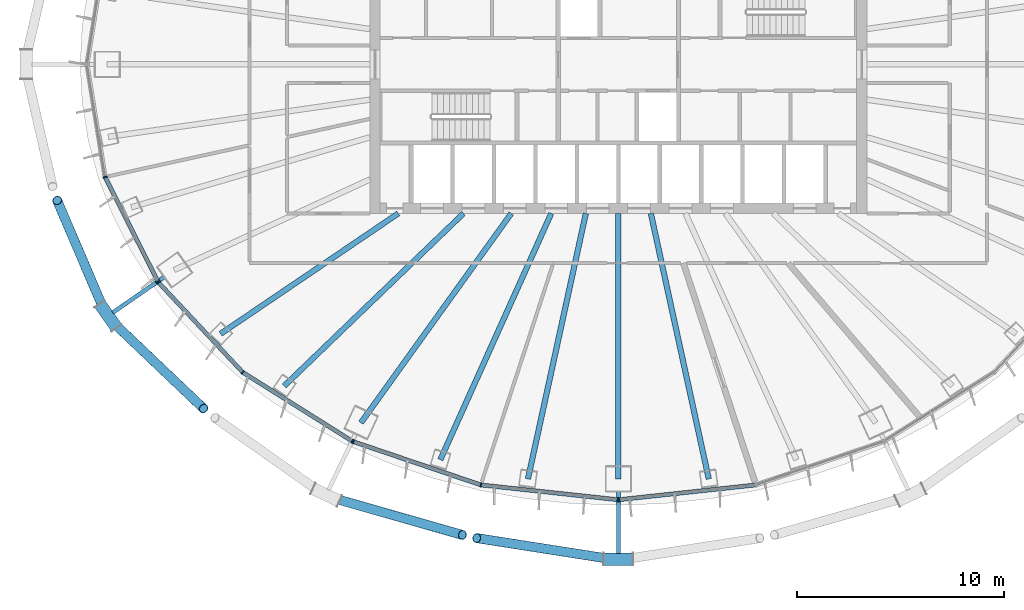
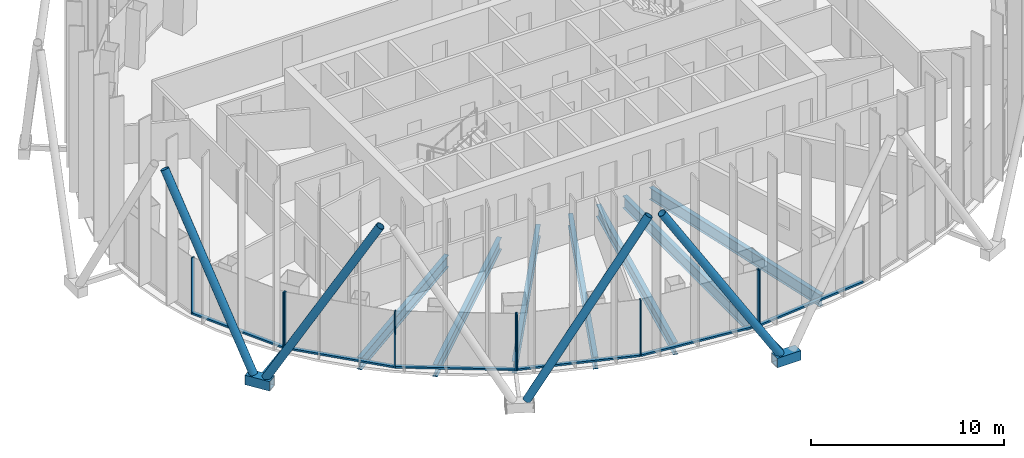
# One storey, part 2 of 20: 23 members, 7 beams, 4 elements without a shape of their own.
"""IFC4 building model written with IfcOpenShell, lengths in metres."""

import ifcopenshell
import ifcopenshell.guid

model = None  # the IFC model being written
_history = None  # IfcOwnerHistory: only IFC2X3 demands one
_inside = {}  # id of a spatial element -> (the spatial element, [elements in it])
_under = {}  # id of a project, library or spatial element -> (it, [spatial elements below it])
_declared = {}  # id of a project -> (the project, [libraries it declares])
_typed = {}  # id of a type object -> (the type object, [elements of that type])
_made_of = {}  # id of a material, layer set ... -> (it, [elements and type objects made of it])


def new_model(schema):
    """Start an empty IFC model of exactly this schema.

    Asked for "IFC4X3", IfcOpenShell would pick the latest addendum, in which some entities
    have other attributes; the version numbers below select the first issue.
    IFC2X3 requires an IfcOwnerHistory on every rooted entity: one is made here for all.
    """
    global model, _history
    if schema == "IFC4X3":
        model = ifcopenshell.file(schema_version=(4, 3, 0, 0))
    else:
        model = ifcopenshell.file(schema=schema)
    _inside.clear()
    _under.clear()
    _declared.clear()
    _typed.clear()
    _made_of.clear()
    _history = None
    if model.schema == "IFC2X3":
        org = make("IfcOrganization", Name="unknown")
        user = make(
            "IfcPersonAndOrganization",
            ThePerson=make("IfcPerson", FamilyName="unknown"),
            TheOrganization=org,
        )
        app = make(
            "IfcApplication",
            ApplicationDeveloper=org,
            Version="unknown",
            ApplicationFullName="unknown",
            ApplicationIdentifier="unknown",
        )
        _history = make(
            "IfcOwnerHistory",
            OwningUser=user,
            OwningApplication=app,
            ChangeAction="ADDED",
            CreationDate=0,
        )
    return model


def make(cls, **values):
    """One entity of the class cls with the attributes given. An attribute that is None is left unset."""
    return model.create_entity(
        cls, **{name: value for name, value in values.items() if value is not None}
    )


def rooted(cls, **values):
    """An entity with a GlobalId (a new one), such as an element, a storey or a relation."""
    return make(cls, GlobalId=ifcopenshell.guid.new(), OwnerHistory=_history, **values)


def si_unit(unit_type, name, prefix=None):
    """IfcSIUnit, for example si_unit("LENGTHUNIT", "METRE", prefix="MILLI")."""
    return make("IfcSIUnit", UnitType=unit_type, Prefix=prefix, Name=name)


def assignment(units):
    """IfcUnitAssignment: the units of a project."""
    return None if units is None else make("IfcUnitAssignment", Units=units)


def point(xyz):
    """IfcCartesianPoint."""
    return None if xyz is None else make("IfcCartesianPoint", Coordinates=xyz)


def direction(xyz):
    """IfcDirection."""
    return None if xyz is None else make("IfcDirection", DirectionRatios=xyz)


def frame(location, z_axis=None, x_axis=None):
    """IfcAxis2Placement3D, a coordinate frame: its origin and axes. An axis left out is left unset."""
    return make(
        "IfcAxis2Placement3D",
        Location=point(location),
        Axis=direction(z_axis),
        RefDirection=direction(x_axis),
    )


def frame_2d(location, x_axis=None):
    """IfcAxis2Placement2D, a coordinate frame in the plane: its origin and x axis."""
    return make(
        "IfcAxis2Placement2D", Location=point(location), RefDirection=direction(x_axis)
    )


def origin():
    """The frame at (0, 0, 0) with its axes left unset."""
    return frame((0.0, 0.0, 0.0))


def origin_2d():
    """The frame at (0, 0) in the plane with its x axis left unset."""
    return frame_2d((0.0, 0.0))


def place(relative_to, where):
    """IfcLocalPlacement: puts the frame where relative to a parent placement (None: the world)."""
    return make(
        "IfcLocalPlacement", PlacementRelTo=relative_to, RelativePlacement=where
    )


def context(
    kind, dimensions, precision=None, world=None, true_north=None, identifier=None
):
    """IfcGeometricRepresentationContext, for example the 3D "Model" context."""
    return make(
        "IfcGeometricRepresentationContext",
        ContextIdentifier=identifier,
        ContextType=kind,
        CoordinateSpaceDimension=dimensions,
        Precision=precision,
        WorldCoordinateSystem=world,
        TrueNorth=true_north,
    )


def subcontext(parent, identifier, kind, view, scale=None):
    """IfcGeometricRepresentationSubContext, for example "Body" below "Model"."""
    return make(
        "IfcGeometricRepresentationSubContext",
        ContextIdentifier=identifier,
        ContextType=kind,
        ParentContext=parent,
        TargetScale=scale,
        TargetView=view,
    )


def project(units=None, contexts=None):
    """IfcProject with its units and contexts."""
    return rooted(
        "IfcProject",
        Name="project",
        RepresentationContexts=contexts,
        UnitsInContext=assignment(units),
    )


def spatial(cls, under=None, at=None, **own):
    """A site, building, storey or space (cls), placed at a placement, below another one or the project."""
    s = rooted(cls, ObjectPlacement=at, **own)
    if under is not None:
        _under.setdefault(under.id(), (under, []))[1].append(s)
    return s


def profile(cls, at=None, kind="AREA", **sizes):
    """A parametric profile (cls). Its sizes go by their IFC names, for example OverallWidth=200.0."""
    return make(cls, ProfileType=kind, Position=at, **sizes)


def rectangle(**sizes):
    """IfcRectangleProfileDef."""
    return profile("IfcRectangleProfileDef", **sizes)


def hollow_rectangle(**sizes):
    """IfcRectangleHollowProfileDef."""
    return profile("IfcRectangleHollowProfileDef", **sizes)


def hollow_circle(**sizes):
    """IfcCircleHollowProfileDef."""
    return profile("IfcCircleHollowProfileDef", **sizes)


def i_section(**sizes):
    """IfcIShapeProfileDef."""
    return profile("IfcIShapeProfileDef", **sizes)


def extrude(swept, where, along, depth):
    """IfcExtrudedAreaSolid: the profile swept, set in the frame where, extruded along a direction by depth."""
    return make(
        "IfcExtrudedAreaSolid",
        SweptArea=swept,
        Position=where,
        ExtrudedDirection=direction(along),
        Depth=depth,
    )


def shape(context_of_items, identifier, shape_type, items):
    """IfcShapeRepresentation: the items that make up one representation, for example the "Body"."""
    return make(
        "IfcShapeRepresentation",
        ContextOfItems=context_of_items,
        RepresentationIdentifier=identifier,
        RepresentationType=shape_type,
        Items=items,
    )


def material(Name=None, Category=None):
    """IfcMaterial."""
    return make("IfcMaterial", Name=Name, Category=Category)


def layer(
    of_material, thickness, ventilated=None, Name=None, Category=None, Priority=None
):
    """IfcMaterialLayer: one layer of a wall or slab, of a material (None: an air gap)."""
    return make(
        "IfcMaterialLayer",
        Material=of_material,
        LayerThickness=thickness,
        IsVentilated=ventilated,
        Name=Name,
        Category=Category,
        Priority=Priority,
    )


def layer_set(layers, Name=None):
    """IfcMaterialLayerSet."""
    return make("IfcMaterialLayerSet", MaterialLayers=layers, LayerSetName=Name)


def material_profile(
    of_material, cross_section, Name=None, Category=None, Priority=None
):
    """IfcMaterialProfile: a cross section and its material."""
    return make(
        "IfcMaterialProfile",
        Name=Name,
        Material=of_material,
        Profile=cross_section,
        Priority=Priority,
        Category=Category,
    )


def profile_set(profiles, Name=None, composite=None):
    """IfcMaterialProfileSet."""
    return make(
        "IfcMaterialProfileSet",
        Name=Name,
        MaterialProfiles=profiles,
        CompositeProfile=composite,
    )


def made_of(thing, what):
    """Note that an element or type object is made of a material, layer set ...; save() writes the relation."""
    if what is not None:
        _made_of.setdefault(what.id(), (what, []))[1].append(thing)
    return thing


def type_object(cls, material=None, **own):
    """A type object (cls), such as IfcWallType, which elements share."""
    return made_of(rooted(cls, **own), material)


def element(
    cls,
    number,
    at=None,
    inside=None,
    cuts=None,
    type_object=None,
    material=None,
    context=None,
    identifier="Body",
    shape_type=None,
    held_by="IfcProductDefinitionShape",
    body=None,
    shapes=None,
    **own,
):
    """One element of the class cls, such as IfcWall. Its Tag is "e" and its number.

    at: its placement. inside: the storey or other place that contains it. cuts: it is an
    opening in that element (IfcRelVoidsElement). A single representation is given by context,
    identifier, shape_type and body (its items); several are given by shapes. held_by: the class
    of the entity that holds the representations. save() writes the other relations.
    """
    e = rooted(cls, Tag="e%d" % number, ObjectPlacement=at, **own)
    if body is not None:
        shapes = [shape(context, identifier, shape_type, body)]
    if shapes is not None:
        e.Representation = make(held_by, Representations=shapes)
    if inside is not None:
        _inside.setdefault(inside.id(), (inside, []))[1].append(e)
    if cuts is not None:
        rooted(
            "IfcRelVoidsElement", RelatingBuildingElement=cuts, RelatedOpeningElement=e
        )
    if type_object is not None:
        _typed.setdefault(type_object.id(), (type_object, []))[1].append(e)
    return made_of(e, material)


def aggregate(whole, parts):
    """IfcRelAggregates: a whole, such as a stair, and the parts it consists of."""
    return rooted("IfcRelAggregates", RelatingObject=whole, RelatedObjects=parts)


def save(model, path):
    """Write the relations noted so far, then the file.

    IfcRelAggregates (storeys below a building ...), IfcRelContainedInSpatialStructure (elements
    in a storey), IfcRelDefinesByType, IfcRelAssociatesMaterial and IfcRelDeclares: one each for
    every whole, place, type object, material and project.
    """
    for whole, parts in _under.values():
        aggregate(whole, parts)
    for where, things in _inside.values():
        rooted(
            "IfcRelContainedInSpatialStructure",
            RelatedElements=things,
            RelatingStructure=where,
        )
    for kind, things in _typed.values():
        rooted("IfcRelDefinesByType", RelatedObjects=things, RelatingType=kind)
    for what, things in _made_of.values():
        rooted("IfcRelAssociatesMaterial", RelatedObjects=things, RelatingMaterial=what)
    for by, libraries in _declared.values():
        rooted("IfcRelDeclares", RelatingContext=by, RelatedDefinitions=libraries)
    model.write(path)


model = new_model("IFC4")

# Units and contexts
model_context = context("Model", 3, precision=1e-05, world=origin(), true_north=direction((0.0, 1.0)))
body_context = subcontext(model_context, "Body", "Model", "MODEL_VIEW")
ifc_project = project(units=[si_unit("LENGTHUNIT", "METRE"), si_unit("AREAUNIT", "SQUARE_METRE"), si_unit("VOLUMEUNIT", "CUBIC_METRE"), si_unit("PLANEANGLEUNIT", "RADIAN"), si_unit("MASSUNIT", "GRAM", prefix="KILO")], contexts=[model_context])

# Site, building, storey
site_placement = place(None, origin())
site = spatial("IfcSite", under=ifc_project, at=site_placement, CompositionType="ELEMENT")
building_placement = place(site_placement, origin())
building = spatial("IfcBuilding", under=site, at=building_placement, Name="Siaravel Broadcast Tower", CompositionType="ELEMENT")
storey_placement = place(building_placement, frame((0.0, 0.0, 108.199951171875)))
storey = spatial("IfcBuildingStorey", under=building, at=storey_placement, Name="L25", CompositionType="ELEMENT", Elevation=108.199951171875)

# Beams
ifc_material_1 = material(Name="Steel S355", Category="steel")
ifc_material_profile_1 = material_profile(ifc_material_1, i_section(OverallWidth=0.26513671875, OverallDepth=0.75390625, WebThickness=0.0126953125, FlangeThickness=0.017578125, FilletRadius=0.0166015625, at=origin_2d()))
ifc_profile_set_1 = profile_set([ifc_material_profile_1], Name="Steel S355")
beam_type = type_object("IfcBeamType", Name="BM-UB 762x267x147", PredefinedType="BEAM", material=ifc_profile_set_1)
beam_1_placement = place(storey_placement, frame((-19.203125, -13.01025390625, -0.52685546875), z_axis=(0.827882681, 0.560901299, 0.0), x_axis=(-0.560901299, 0.827882681, 0.0)))
element("IfcBeam", 1, at=beam_1_placement, inside=storey, type_object=beam_type, Name="Radial beam RB23", PredefinedType="BEAM", context=body_context, shape_type="SweptSolid", body=[
    extrude(i_section(OverallWidth=0.26513671875, OverallDepth=0.75390625, WebThickness=0.0126953125, FlangeThickness=0.017578125, FilletRadius=0.0166015625, at=origin_2d()), origin(), (0.0, 0.0, 1.0), 10.35888671875),
])
beam_2_placement = place(storey_placement, frame((-16.129150390625, -15.528076171875, -0.52685546875), z_axis=(0.720398468, 0.693560413, 0.0), x_axis=(-0.693560413, 0.720398468, 0.0)))
element("IfcBeam", 2, at=beam_2_placement, inside=storey, type_object=beam_type, Name="Radial beam RB24", PredefinedType="BEAM", context=body_context, shape_type="SweptSolid", body=[
    extrude(i_section(OverallWidth=0.26513671875, OverallDepth=0.75390625, WebThickness=0.0126953125, FlangeThickness=0.017578125, FilletRadius=0.0166015625, at=origin_2d()), origin(), (0.0, 0.0, 1.0), 12.0078125),
])
beam_3_placement = place(storey_placement, frame((-12.428466796875, -17.305419921875, -0.52685546875), z_axis=(0.583331946, 0.812233858, 0.0), x_axis=(-0.812233858, 0.583331946, 0.0)))
element("IfcBeam", 3, at=beam_3_placement, inside=storey, type_object=beam_type, Name="Radial beam RB25", PredefinedType="BEAM", context=body_context, shape_type="SweptSolid", body=[
    extrude(i_section(OverallWidth=0.26513671875, OverallDepth=0.75390625, WebThickness=0.0126953125, FlangeThickness=0.017578125, FilletRadius=0.0166015625, at=origin_2d()), origin(), (0.0, 0.0, 1.0), 12.441650390625),
])
beam_4_placement = place(storey_placement, frame((-8.5947265625, -19.090087890625, -0.52685546875), z_axis=(0.410521929, 0.911850725, 0.0), x_axis=(-0.911850725, 0.410521929, 0.0)))
element("IfcBeam", 4, at=beam_4_placement, inside=storey, type_object=beam_type, Name="Radial beam RB26", PredefinedType="BEAM", context=body_context, shape_type="SweptSolid", body=[
    extrude(i_section(OverallWidth=0.26513671875, OverallDepth=0.75390625, WebThickness=0.0126953125, FlangeThickness=0.017578125, FilletRadius=0.0166015625, at=origin_2d()), origin(), (0.0, 0.0, 1.0), 13.03955078125),
])
beam_5_placement = place(storey_placement, frame((-4.365234375, -20.018310546875, -0.52685546875), z_axis=(0.213053066, 0.977040629, 0.0), x_axis=(-0.977040629, 0.213053066, 0.0)))
element("IfcBeam", 5, at=beam_5_placement, inside=storey, type_object=beam_type, Name="Radial beam RB27", PredefinedType="BEAM", context=body_context, shape_type="SweptSolid", body=[
    extrude(i_section(OverallWidth=0.26513671875, OverallDepth=0.75390625, WebThickness=0.0126953125, FlangeThickness=0.017578125, FilletRadius=0.0166015625, at=origin_2d()), origin(), (0.0, 0.0, 1.0), 13.11962890625),
])
beam_6_placement = place(storey_placement, frame((0.0, -20.031005859375, -0.52685546875), z_axis=(0.0, 1.0, 0.0), x_axis=(-1.0, 0.0, 0.0)))
element("IfcBeam", 6, at=beam_6_placement, inside=storey, type_object=beam_type, Name="Radial beam RB28", PredefinedType="BEAM", context=body_context, shape_type="SweptSolid", body=[
    extrude(i_section(OverallWidth=0.26513671875, OverallDepth=0.75390625, WebThickness=0.0126953125, FlangeThickness=0.017578125, FilletRadius=0.0166015625, at=origin_2d()), origin(), (0.0, 0.0, 1.0), 12.8310546875),
])
beam_7_placement = place(storey_placement, frame((4.365234375, -20.018310546875, -0.52685546875), z_axis=(-0.213053066, 0.977040629, 0.0), x_axis=(-0.977040629, -0.213053066, 0.0)))
element("IfcBeam", 7, at=beam_7_placement, inside=storey, type_object=beam_type, Name="Radial beam RB29", PredefinedType="BEAM", context=body_context, shape_type="SweptSolid", body=[
    extrude(i_section(OverallWidth=0.26513671875, OverallDepth=0.75390625, WebThickness=0.0126953125, FlangeThickness=0.017578125, FilletRadius=0.0166015625, at=origin_2d()), origin(), (0.0, 0.0, 1.0), 13.11962890625),
])

# Curtain wall, members
ifc_material_2 = material(Name="Aluminium 6063-T6", Category="aluminium")
ifc_layer = layer(ifc_material_2, 0.199951171875)
ifc_layer_set = layer_set([ifc_layer], Name="Aluminium 6063-T6")
curtain_wall_type = type_object("IfcCurtainWallType", Name="Unitised curtain wall, zone 2", PredefinedType="NOTDEFINED", material=ifc_layer_set)
curtain_wall_1_placement = place(storey_placement, origin())
curtain_wall_1 = element("IfcCurtainWall", 8, at=curtain_wall_1_placement, inside=storey, type_object=curtain_wall_type, Name="L25 Unitised curtain wall, zone 2 07", PredefinedType="NOTDEFINED")
ifc_material_profile_2 = material_profile(ifc_material_2, rectangle(XDim=0.199951171875, YDim=0.06494140625, at=origin_2d()))
ifc_profile_set_2 = profile_set([ifc_material_profile_2], Name="Aluminium 6063-T6")
member_type_1 = type_object("IfcMemberType", Name="CW-Z2 mullion", PredefinedType="MULLION", material=ifc_profile_set_2)
member_1_placement = place(storey_placement, frame((-24.7802734375, -5.44384765625, 0.0), z_axis=(0.0, 0.0, 1.0), x_axis=(0.951177123, 0.308645559, 0.0)))
member_1 = element("IfcMember", 9, at=member_1_placement, type_object=member_type_1, Name="CW-Z2 mullion 2", PredefinedType="MULLION", context=body_context, shape_type="SweptSolid", body=[
    extrude(rectangle(XDim=0.199951171875, YDim=0.06494140625, at=origin_2d()), origin(), (0.0, 0.0, 1.0), 3.550048828125),
])
member_2_placement = place(storey_placement, frame((-22.23046875, -10.486572265625, 0.0), z_axis=(0.0, 0.0, 1.0), x_axis=(0.892391899, 0.451261231, 0.0)))
member_2 = element("IfcMember", 10, at=member_2_placement, type_object=member_type_1, Name="CW-Z2 mullion 3", PredefinedType="MULLION", context=body_context, shape_type="SweptSolid", body=[
    extrude(rectangle(XDim=0.199951171875, YDim=0.06494140625, at=origin_2d()), origin(), (0.0, 0.0, 1.0), 3.550048828125),
])

curtain_wall_2_placement = place(storey_placement, origin())
curtain_wall_2 = element("IfcCurtainWall", 11, at=curtain_wall_2_placement, inside=storey, type_object=curtain_wall_type, Name="L25 Unitised curtain wall, zone 2 08", PredefinedType="NOTDEFINED")
member_3_placement = place(storey_placement, frame((-22.193603515625, -10.539306640625, 0.0), z_axis=(0.0, 0.0, 1.0), x_axis=(0.729804977, 0.683655392, 0.0)))
member_3 = element("IfcMember", 12, at=member_3_placement, type_object=member_type_1, Name="CW-Z2 mullion 1", PredefinedType="MULLION", context=body_context, shape_type="SweptSolid", body=[
    extrude(rectangle(XDim=0.199951171875, YDim=0.06494140625, at=origin_2d()), origin(), (0.0, 0.0, 1.0), 3.550048828125),
])
member_4_placement = place(storey_placement, frame((-18.137451171875, -14.869384765625, 0.0), z_axis=(0.0, 0.0, 1.0), x_axis=(0.63621839, 0.771509015, 0.0)))
member_4 = element("IfcMember", 13, at=member_4_placement, type_object=member_type_1, Name="CW-Z2 mullion 2", PredefinedType="MULLION", context=body_context, shape_type="SweptSolid", body=[
    extrude(rectangle(XDim=0.199951171875, YDim=0.06494140625, at=origin_2d()), origin(), (0.0, 0.0, 1.0), 3.550048828125),
])
member_5_placement = place(storey_placement, frame((-12.8515625, -18.191650390625, 0.0), z_axis=(0.0, 0.0, 1.0), x_axis=(0.532149019, 0.846650708, 0.0)))
member_5 = element("IfcMember", 14, at=member_5_placement, type_object=member_type_1, Name="CW-Z2 mullion 3", PredefinedType="MULLION", context=body_context, shape_type="SweptSolid", body=[
    extrude(rectangle(XDim=0.199951171875, YDim=0.06494140625, at=origin_2d()), origin(), (0.0, 0.0, 1.0), 3.550048828125),
])

curtain_wall_3_placement = place(storey_placement, origin())
curtain_wall_3 = element("IfcCurtainWall", 15, at=curtain_wall_3_placement, inside=storey, type_object=curtain_wall_type, Name="L25 Unitised curtain wall, zone 2 09", PredefinedType="NOTDEFINED")
member_6_placement = place(storey_placement, frame((-12.793212890625, -18.21923828125, 0.0), z_axis=(0.0, 0.0, 1.0), x_axis=(0.321300513, 0.946977286, 0.0)))
member_6 = element("IfcMember", 16, at=member_6_placement, type_object=member_type_1, Name="CW-Z2 mullion 1", PredefinedType="MULLION", context=body_context, shape_type="SweptSolid", body=[
    extrude(rectangle(XDim=0.199951171875, YDim=0.06494140625, at=origin_2d()), origin(), (0.0, 0.0, 1.0), 3.550048828125),
])
member_7_placement = place(storey_placement, frame((-6.637939453125, -20.307861328125, 0.0), z_axis=(0.0, 0.0, 1.0), x_axis=(0.215557996, 0.97649104, 0.0)))
member_7 = element("IfcMember", 17, at=member_7_placement, type_object=member_type_1, Name="CW-Z2 mullion 2", PredefinedType="MULLION", context=body_context, shape_type="SweptSolid", body=[
    extrude(rectangle(XDim=0.199951171875, YDim=0.06494140625, at=origin_2d()), origin(), (0.0, 0.0, 1.0), 3.550048828125),
])
member_8_placement = place(storey_placement, frame((-0.0322265625, -21.02001953125, 0.0), z_axis=(0.0, 0.0, 1.0), x_axis=(0.107217456, 0.994235594, 0.0)))
member_8 = element("IfcMember", 18, at=member_8_placement, type_object=member_type_1, Name="CW-Z2 mullion 3", PredefinedType="MULLION", context=body_context, shape_type="SweptSolid", body=[
    extrude(rectangle(XDim=0.199951171875, YDim=0.06494140625, at=origin_2d()), origin(), (0.0, 0.0, 1.0), 3.550048828125),
])

# Curtain wall, member
curtain_wall_4_placement = place(storey_placement, origin())
curtain_wall_4 = element("IfcCurtainWall", 19, at=curtain_wall_4_placement, inside=storey, type_object=curtain_wall_type, Name="L25 Unitised curtain wall, zone 2 10", PredefinedType="NOTDEFINED")
member_9_placement = place(storey_placement, frame((0.0322265625, -21.02001953125, 0.0), z_axis=(0.0, 0.0, 1.0), x_axis=(-0.107217456, 0.994235594, 0.0)))
member_9 = element("IfcMember", 20, at=member_9_placement, type_object=member_type_1, Name="CW-Z2 mullion 1", PredefinedType="MULLION", context=body_context, shape_type="SweptSolid", body=[
    extrude(rectangle(XDim=0.199951171875, YDim=0.06494140625, at=origin_2d()), origin(), (0.0, 0.0, 1.0), 3.550048828125),
])

# Member
ifc_material_profile_3 = material_profile(ifc_material_2, rectangle(XDim=0.199951171875, YDim=0.110107421875, at=origin_2d()))
ifc_profile_set_3 = profile_set([ifc_material_profile_3], Name="Aluminium 6063-T6")
member_type_2 = type_object("IfcMemberType", Name="CW-Z2 transom", PredefinedType="USERDEFINED", material=ifc_profile_set_3)
member_10_placement = place(storey_placement, frame((-24.765625, -5.472900390625, 0.054931640625), z_axis=(0.451247712, -0.892398735, 0.0), x_axis=(0.892398735, 0.451247712, 0.0)))
member_10 = element("IfcMember", 21, at=member_10_placement, type_object=member_type_2, Name="CW-Z2 transom 2", ObjectType="TRANSOM", PredefinedType="USERDEFINED", context=body_context, shape_type="SweptSolid", body=[
    extrude(rectangle(XDim=0.199951171875, YDim=0.110107421875, at=origin_2d()), origin(), (0.0, 0.0, 1.0), 5.585693359375),
])

aggregate(curtain_wall_1, [member_1, member_2, member_10])

member_11_placement = place(storey_placement, frame((-22.17138671875, -10.56298828125, 0.054931640625), z_axis=(0.683660134, -0.729800536, 0.0), x_axis=(0.729800536, 0.683660134, 0.0)))
member_11 = element("IfcMember", 22, at=member_11_placement, type_object=member_type_2, Name="CW-Z2 transom 1", ObjectType="TRANSOM", PredefinedType="USERDEFINED", context=body_context, shape_type="SweptSolid", body=[
    extrude(rectangle(XDim=0.199951171875, YDim=0.110107421875, at=origin_2d()), origin(), (0.0, 0.0, 1.0), 5.867919921875),
])

member_12_placement = place(storey_placement, frame((-18.10986328125, -14.886474609375, 0.054931640625), z_axis=(0.846639093, -0.532167499, 0.0), x_axis=(0.532167499, 0.846639093, 0.0)))
member_12 = element("IfcMember", 23, at=member_12_placement, type_object=member_type_2, Name="CW-Z2 transom 2", ObjectType="TRANSOM", PredefinedType="USERDEFINED", context=body_context, shape_type="SweptSolid", body=[
    extrude(rectangle(XDim=0.199951171875, YDim=0.110107421875, at=origin_2d()), origin(), (0.0, 0.0, 1.0), 6.17822265625),
])

aggregate(curtain_wall_2, [member_3, member_4, member_5, member_11, member_12])

member_13_placement = place(storey_placement, frame((-12.762451171875, -18.229736328125, 0.054931640625), z_axis=(0.946973753, -0.321310926, 0.0), x_axis=(0.321310926, 0.946973753, 0.0)))
member_13 = element("IfcMember", 24, at=member_13_placement, type_object=member_type_2, Name="CW-Z2 transom 1", ObjectType="TRANSOM", PredefinedType="USERDEFINED", context=body_context, shape_type="SweptSolid", body=[
    extrude(rectangle(XDim=0.199951171875, YDim=0.110107421875, at=origin_2d()), origin(), (0.0, 0.0, 1.0), 6.43505859375),
])

member_14_placement = place(storey_placement, frame((-6.60546875, -20.311279296875, 0.054931640625), z_axis=(0.994236057, -0.107213167, 0.0), x_axis=(0.107213167, 0.994236057, 0.0)))
member_14 = element("IfcMember", 25, at=member_14_placement, type_object=member_type_2, Name="CW-Z2 transom 2", ObjectType="TRANSOM", PredefinedType="USERDEFINED", context=body_context, shape_type="SweptSolid", body=[
    extrude(rectangle(XDim=0.199951171875, YDim=0.110107421875, at=origin_2d()), origin(), (0.0, 0.0, 1.0), 6.57861328125),
])

aggregate(curtain_wall_3, [member_6, member_7, member_8, member_13, member_14])

member_15_placement = place(storey_placement, frame((0.064697265625, -21.0166015625, 0.054931640625), z_axis=(0.994236057, 0.107213167, 0.0), x_axis=(-0.107213167, 0.994236057, 0.0)))
member_15 = element("IfcMember", 26, at=member_15_placement, type_object=member_type_2, Name="CW-Z2 transom 1", ObjectType="TRANSOM", PredefinedType="USERDEFINED", context=body_context, shape_type="SweptSolid", body=[
    extrude(rectangle(XDim=0.199951171875, YDim=0.110107421875, at=origin_2d()), origin(), (0.0, 0.0, 1.0), 6.57861328125),
])

aggregate(curtain_wall_4, [member_9, member_15])

# Members
ifc_material_3 = material(Name="Steel S460", Category="steel")
ifc_material_profile_4 = material_profile(ifc_material_3, hollow_circle(Radius=0.228515625, WallThickness=0.02001953125, at=origin_2d()))
ifc_profile_set_4 = profile_set([ifc_material_profile_4], Name="Steel S460")
member_type_3 = type_object("IfcMemberType", Name="Diagrid diagonal CHS 457x20", PredefinedType="BRACE", material=ifc_profile_set_4)
member_16_placement = place(storey_placement, frame((-24.835205078125, -11.85498046875, 0.070068359375), z_axis=(-0.187937879, 0.43953705, 0.878343062), x_axis=(-0.919474293, -0.393150131, 0.0)))
element("IfcMember", 27, at=member_16_placement, inside=storey, type_object=member_type_3, Name="Diagrid diagonal R11 station 42C", PredefinedType="BRACE", context=body_context, shape_type="SweptSolid", body=[
    extrude(hollow_circle(Radius=0.228515625, WallThickness=0.02001953125, at=origin_2d()), origin(), (0.0, 0.0, 1.0), 12.022705078125),
])
member_17_placement = place(storey_placement, frame((-24.430419921875, -12.42919921875, 0.070068359375), z_axis=(0.361544187, -0.3438727, 0.866624121), x_axis=(0.689176745, 0.724593275, 0.0)))
element("IfcMember", 28, at=member_17_placement, inside=storey, type_object=member_type_3, Name="Diagrid diagonal R11 station 42A", PredefinedType="BRACE", context=body_context, shape_type="SweptSolid", body=[
    extrude(hollow_circle(Radius=0.228515625, WallThickness=0.02001953125, at=origin_2d()), origin(), (0.0, 0.0, 1.0), 12.185302734375),
])
member_18_placement = place(storey_placement, frame((-13.788818359375, -20.936767578125, 0.070068359375), z_axis=(0.504693487, -0.143992913, 0.851205337), x_axis=(0.274359589, 0.961627171, 0.0)))
element("IfcMember", 29, at=member_18_placement, inside=storey, type_object=member_type_3, Name="Diagrid diagonal R11 station 48A", PredefinedType="BRACE", context=body_context, shape_type="SweptSolid", body=[
    extrude(hollow_circle(Radius=0.228515625, WallThickness=0.02001953125, at=origin_2d()), origin(), (0.0, 0.0, 1.0), 12.406005859375),
])
member_19_placement = place(storey_placement, frame((-0.351318359375, -23.88818359375, 0.070068359375), z_axis=(-0.521854782, 0.081567416, 0.849125634), x_axis=(-0.1544279, -0.988004061, 0.0)))
element("IfcMember", 30, at=member_19_placement, inside=storey, type_object=member_type_3, Name="Diagrid diagonal R11 station 54C", PredefinedType="BRACE", context=body_context, shape_type="SweptSolid", body=[
    extrude(hollow_circle(Radius=0.228515625, WallThickness=0.02001953125, at=origin_2d()), origin(), (0.0, 0.0, 1.0), 12.436279296875),
])
ifc_material_profile_5 = material_profile(ifc_material_3, hollow_rectangle(XDim=0.60009765625, YDim=0.60009765625, WallThickness=0.0400390625, at=origin_2d()))
ifc_profile_set_5 = profile_set([ifc_material_profile_5], Name="Steel S460")
member_type_4 = type_object("IfcMemberType", Name="Diagrid node BOX 600x600x40", PredefinedType="USERDEFINED", material=ifc_profile_set_5)
member_20_placement = place(storey_placement, frame((-25.035888671875, -11.570068359375, -0.199951171875), z_axis=(0.576128367, -0.817359227, 0.0), x_axis=(0.817359227, 0.576128367, 0.0)))
element("IfcMember", 31, at=member_20_placement, inside=storey, type_object=member_type_4, Name="Diagrid node R11 station 42", ObjectType="DIAGRID NODE", PredefinedType="USERDEFINED", context=body_context, shape_type="SweptSolid", body=[
    extrude(hollow_rectangle(XDim=0.60009765625, YDim=0.60009765625, WallThickness=0.0400390625, at=origin_2d()), origin(), (0.0, 0.0, 1.0), 1.399658203125),
])
member_21_placement = place(storey_placement, frame((-0.699951171875, -23.88818359375, -0.199951171875), z_axis=(1.0, 0.0, 0.0), x_axis=(0.0, 1.0, 0.0)))
element("IfcMember", 32, at=member_21_placement, inside=storey, type_object=member_type_4, Name="Diagrid node R11 station 54", ObjectType="DIAGRID NODE", PredefinedType="USERDEFINED", context=body_context, shape_type="SweptSolid", body=[
    extrude(hollow_rectangle(XDim=0.60009765625, YDim=0.60009765625, WallThickness=0.0400390625, at=origin_2d()), origin(), (0.0, 0.0, 1.0), 1.39990234375),
])
ifc_material_profile_6 = material_profile(ifc_material_3, hollow_rectangle(XDim=0.199951171875, YDim=0.300048828125, WallThickness=0.012451171875, at=origin_2d()))
ifc_profile_set_6 = profile_set([ifc_material_profile_6], Name="Steel S460")
member_type_5 = type_object("IfcMemberType", Name="Diagrid node arm RHS 300x200x12.5", PredefinedType="STRUT", material=ifc_profile_set_6)
member_22_placement = place(storey_placement, frame((-21.93115234375, -10.2705078125, -0.199951171875), z_axis=(-0.822031913, -0.569441423, 0.0), x_axis=(0.569441423, -0.822031913, 0.0)))
element("IfcMember", 33, at=member_22_placement, inside=storey, type_object=member_type_5, Name="Node arm R11 station 42", PredefinedType="STRUT", context=body_context, shape_type="SweptSolid", body=[
    extrude(hollow_rectangle(XDim=0.199951171875, YDim=0.300048828125, WallThickness=0.012451171875, at=origin_2d()), origin(), (0.0, 0.0, 1.0), 3.0166015625),
])
member_23_placement = place(storey_placement, frame((0.0, -20.6259765625, -0.199951171875), z_axis=(0.0, -1.0, 0.0), x_axis=(1.0, 0.0, 0.0)))
element("IfcMember", 34, at=member_23_placement, inside=storey, type_object=member_type_5, Name="Node arm R11 station 54", PredefinedType="STRUT", context=body_context, shape_type="SweptSolid", body=[
    extrude(hollow_rectangle(XDim=0.199951171875, YDim=0.300048828125, WallThickness=0.012451171875, at=origin_2d()), origin(), (0.0, 0.0, 1.0), 2.992431640625),
])

save(model, "model.ifc")
